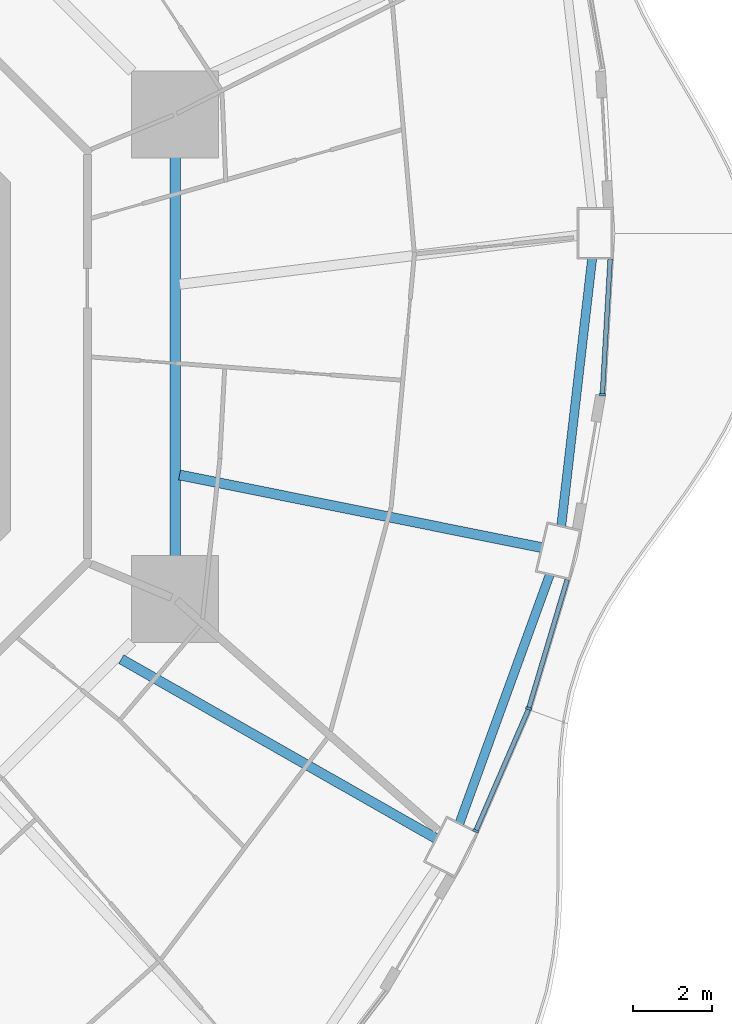
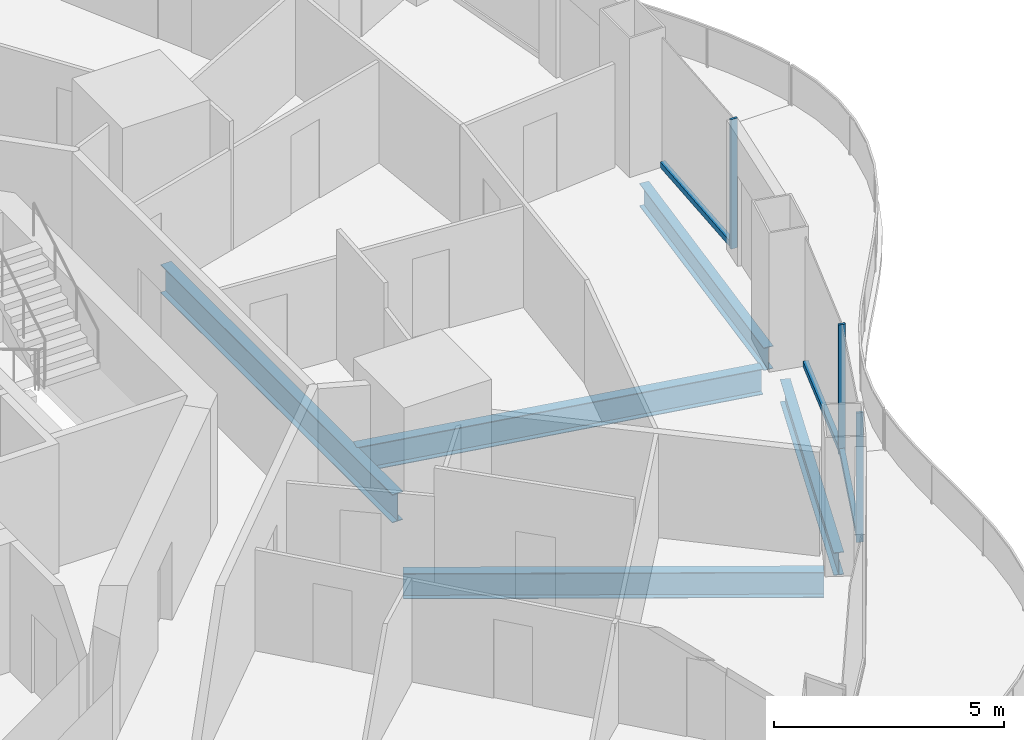
# One storey, part 6 of 22: 6 members, 5 beams, 3 elements without a shape of their own.
"""IFC4 building model written with IfcOpenShell, lengths in metres."""

from ifc_helpers import new_model, si_unit, direction, frame, origin, origin_2d, place, context, subcontext, project, spatial, rectangle, i_section, extrude, material, layer, layer_set, material_profile, profile_set, type_object, element, aggregate, save


model = new_model("IFC4")

# Units and contexts
model_context = context("Model", 3, precision=1e-05, world=origin(), true_north=direction((0.0, 1.0)))
body_context = subcontext(model_context, "Body", "Model", "MODEL_VIEW")
ifc_project = project(units=[si_unit("LENGTHUNIT", "METRE"), si_unit("AREAUNIT", "SQUARE_METRE"), si_unit("VOLUMEUNIT", "CUBIC_METRE"), si_unit("PLANEANGLEUNIT", "RADIAN"), si_unit("MASSUNIT", "GRAM", prefix="KILO")], contexts=[model_context])

# Site, building, storey
site_placement = place(None, origin())
site = spatial("IfcSite", under=ifc_project, at=site_placement, CompositionType="ELEMENT")
building_placement = place(site_placement, origin())
building = spatial("IfcBuilding", under=site, at=building_placement, Name="Nagisa Residences", CompositionType="ELEMENT")
storey_placement = place(building_placement, frame((0.0, 0.0, 88.10009765625)))
storey = spatial("IfcBuildingStorey", under=building, at=storey_placement, Name="L21", CompositionType="ELEMENT", Elevation=88.10009765625)

# Curtain wall, member
ifc_material_1 = material(Name="Concrete-coloured aluminium curtain wall system", Category="concrete")
ifc_layer = layer(ifc_material_1, 0.159912109375)
ifc_layer_set = layer_set([ifc_layer], Name="CW1 CURTAIN WALL")
curtain_wall_type = type_object("IfcCurtainWallType", Name="CW1 CURTAIN WALL", PredefinedType="NOTDEFINED", material=ifc_layer_set)
curtain_wall_1_placement = place(storey_placement, origin())
curtain_wall_1 = element("IfcCurtainWall", 1, at=curtain_wall_1_placement, inside=storey, type_object=curtain_wall_type, Name="cw:CW1:L21:44", PredefinedType="NOTDEFINED")
ifc_material_2 = material(Name="Concrete-coloured aluminium", Category="concrete")
ifc_material_profile_1 = material_profile(ifc_material_2, rectangle(XDim=0.159912109375, YDim=0.06005859375, at=origin_2d()), Name="CW1 MULLION 160x60")
ifc_profile_set_1 = profile_set([ifc_material_profile_1], Name="Concrete-coloured aluminium")
member_type_1 = type_object("IfcMemberType", Name="CW1 MULLION 160x60", PredefinedType="MULLION", material=ifc_profile_set_1)
member_1_placement = place(storey_placement, frame((22.381591796875, -11.984130859375, 0.0), z_axis=(0.0, 0.0, 1.0), x_axis=(-0.917543276295, 0.397635934147, 0.0)))
member_1 = element("IfcMember", 2, at=member_1_placement, type_object=member_type_1, Name="CW1 mullion", PredefinedType="MULLION", context=body_context, shape_type="SweptSolid", body=[
    extrude(rectangle(XDim=0.159912109375, YDim=0.06005859375, at=origin_2d()), origin(), (0.0, 0.0, 1.0), 3.43994140625),
])

curtain_wall_2_placement = place(storey_placement, origin())
curtain_wall_2 = element("IfcCurtainWall", 3, at=curtain_wall_2_placement, inside=storey, type_object=curtain_wall_type, Name="cw:CW1:L21:45", PredefinedType="NOTDEFINED")
member_2_placement = place(storey_placement, frame((23.71875, -8.890869140625, 0.0), z_axis=(0.0, 0.0, 1.0), x_axis=(-0.958271310082, 0.285860274038, 0.0)))
member_2 = element("IfcMember", 4, at=member_2_placement, type_object=member_type_1, Name="CW1 mullion", PredefinedType="MULLION", context=body_context, shape_type="SweptSolid", body=[
    extrude(rectangle(XDim=0.159912109375, YDim=0.06005859375, at=origin_2d()), origin(), (0.0, 0.0, 1.0), 3.43994140625),
])

curtain_wall_3_placement = place(storey_placement, origin())
curtain_wall_3 = element("IfcCurtainWall", 5, at=curtain_wall_3_placement, inside=storey, type_object=curtain_wall_type, Name="cw:CW1:L21:47", PredefinedType="NOTDEFINED")
member_3_placement = place(storey_placement, frame((25.579833984375, -0.961181640625, 0.0), z_axis=(0.0, 0.0, 1.0), x_axis=(-0.998345305184, 0.057503492216, 0.0)))
member_3 = element("IfcMember", 6, at=member_3_placement, type_object=member_type_1, Name="CW1 mullion", PredefinedType="MULLION", context=body_context, shape_type="SweptSolid", body=[
    extrude(rectangle(XDim=0.159912109375, YDim=0.06005859375, at=origin_2d()), origin(), (0.0, 0.0, 1.0), 3.43994140625),
])

# Member
ifc_material_3 = material(Name="Concrete-coloured aluminium", Category="concrete")
ifc_material_profile_2 = material_profile(ifc_material_3, rectangle(XDim=0.1201171875, YDim=0.14990234375, at=origin_2d()), Name="CW1 TRANSOM 120x150")
ifc_profile_set_2 = profile_set([ifc_material_profile_2], Name="Concrete-coloured aluminium")
member_type_2 = type_object("IfcMemberType", Name="CW1 TRANSOM 120x150", PredefinedType="USERDEFINED", material=ifc_profile_set_2)
member_4_placement = place(storey_placement, frame((22.36962890625, -12.011474609375, 0.074951171875), z_axis=(0.397621629246, 0.917549475481, 0.0), x_axis=(-0.917549475481, 0.397621629246, 0.0)))
member_4 = element("IfcMember", 7, at=member_4_placement, type_object=member_type_2, Name="CW1 transom", ObjectType="TRANSOM", PredefinedType="USERDEFINED", context=body_context, shape_type="SweptSolid", body=[
    extrude(rectangle(XDim=0.1201171875, YDim=0.14990234375, at=origin_2d()), origin(), (0.0, 0.0, 1.0), 3.37939453125),
])

aggregate(curtain_wall_1, [member_1, member_4])

member_5_placement = place(storey_placement, frame((23.710205078125, -8.919677734375, 0.074951171875), z_axis=(0.285882094477, 0.958264800594, 0.0), x_axis=(-0.958264800594, 0.285882094477, 0.0)))
member_5 = element("IfcMember", 8, at=member_5_placement, type_object=member_type_2, Name="CW1 transom", ObjectType="TRANSOM", PredefinedType="USERDEFINED", context=body_context, shape_type="SweptSolid", body=[
    extrude(rectangle(XDim=0.1201171875, YDim=0.14990234375, at=origin_2d()), origin(), (0.0, 0.0, 1.0), 3.423583984375),
])

aggregate(curtain_wall_2, [member_2, member_5])

member_6_placement = place(storey_placement, frame((25.578125, -0.9912109375, 0.074951171875), z_axis=(0.057546644052, 0.998342818754, 0.0), x_axis=(-0.998342818754, 0.057546644052, 0.0)))
member_6 = element("IfcMember", 9, at=member_6_placement, type_object=member_type_2, Name="CW1 transom", ObjectType="TRANSOM", PredefinedType="USERDEFINED", context=body_context, shape_type="SweptSolid", body=[
    extrude(rectangle(XDim=0.1201171875, YDim=0.14990234375, at=origin_2d()), origin(), (0.0, 0.0, 1.0), 3.470458984375),
])

aggregate(curtain_wall_3, [member_3, member_6])

# Beams
ifc_material_4 = material(Name="Steel ASTM A572 Gr 50", Category="steel")
ifc_material_profile_3 = material_profile(ifc_material_4, i_section(OverallWidth=0.264892578125, OverallDepth=0.7529296875, WebThickness=0.01318359375, FlangeThickness=0.01708984375, at=origin_2d()), Name="W760x147")
ifc_profile_set_3 = profile_set([ifc_material_profile_3], Name="Steel ASTM A572 Gr 50")
beam_type_1 = type_object("IfcBeamType", Name="Inner ring beam W760x147", PredefinedType="BEAM", material=ifc_profile_set_3)
beam_1_placement = place(storey_placement, frame((14.781982421875, -5.04296875, -0.63671875), z_axis=(0.0, 1.0, 0.0), x_axis=(-1.0, 0.0, 0.0)))
element("IfcBeam", 10, at=beam_1_placement, inside=storey, type_object=beam_type_1, Name="beam:L21:ib8", PredefinedType="BEAM", context=body_context, shape_type="SweptSolid", body=[
    extrude(i_section(OverallWidth=0.264892578125, OverallDepth=0.7529296875, WebThickness=0.01318359375, FlangeThickness=0.01708984375, at=origin_2d()), origin(), (0.0, 0.0, 1.0), 10.0859375),
])
ifc_material_5 = material(Name="Steel ASTM A572 Gr 50", Category="steel")
ifc_material_profile_4 = material_profile(ifc_material_5, i_section(OverallWidth=0.22802734375, OverallDepth=0.60302734375, WebThickness=0.010498046875, FlangeThickness=0.014892578125, at=origin_2d()), Name="W610x101")
ifc_profile_set_4 = profile_set([ifc_material_profile_4], Name="Steel ASTM A572 Gr 50")
beam_type_2 = type_object("IfcBeamType", Name="Perimeter ring beam W610x101", PredefinedType="BEAM", material=ifc_profile_set_4)
beam_2_placement = place(storey_placement, frame((21.96826171875, -11.793212890625, -0.5615234375), z_axis=(0.341365002286, 0.939930814057, 0.0), x_axis=(-0.939930814057, 0.341365002286, 0.0)))
element("IfcBeam", 11, at=beam_2_placement, inside=storey, type_object=beam_type_2, Name="beam:L21:pb23", PredefinedType="BEAM", context=body_context, shape_type="SweptSolid", body=[
    extrude(i_section(OverallWidth=0.22802734375, OverallDepth=0.60302734375, WebThickness=0.010498046875, FlangeThickness=0.014892578125, at=origin_2d()), origin(), (0.0, 0.0, 1.0), 6.689208984375),
])
beam_3_placement = place(storey_placement, frame((24.541015625, -4.279296875, -0.5615234375), z_axis=(0.114690766503, 0.993401242237, 0.0), x_axis=(-0.993401242237, 0.114690766503, 0.0)))
element("IfcBeam", 12, at=beam_3_placement, inside=storey, type_object=beam_type_2, Name="beam:L21:pb24", PredefinedType="BEAM", context=body_context, shape_type="SweptSolid", body=[
    extrude(i_section(OverallWidth=0.22802734375, OverallDepth=0.60302734375, WebThickness=0.010498046875, FlangeThickness=0.014892578125, at=origin_2d()), origin(), (0.0, 0.0, 1.0), 6.811767578125),
])
ifc_material_6 = material(Name="Steel ASTM A572 Gr 50", Category="steel")
ifc_material_profile_5 = material_profile(ifc_material_6, i_section(OverallWidth=0.2529296875, OverallDepth=0.677978515625, WebThickness=0.01171875, FlangeThickness=0.016357421875, at=origin_2d()), Name="W690x125")
ifc_profile_set_5 = profile_set([ifc_material_profile_5], Name="Steel ASTM A572 Gr 50")
beam_type_3 = type_object("IfcBeamType", Name="Radial beam W690x125", PredefinedType="BEAM", material=ifc_profile_set_5)
beam_4_placement = place(storey_placement, frame((21.37744140625, -12.1767578125, -0.59912109375), z_axis=(-0.868924854865, 0.494944033804, 0.0), x_axis=(-0.494944033804, -0.868924854865, 0.0)))
element("IfcBeam", 13, at=beam_4_placement, inside=storey, type_object=beam_type_3, Name="beam:L21:rb23", PredefinedType="BEAM", context=body_context, shape_type="SweptSolid", body=[
    extrude(i_section(OverallWidth=0.2529296875, OverallDepth=0.677978515625, WebThickness=0.01171875, FlangeThickness=0.016357421875, at=origin_2d()), origin(), (0.0, 0.0, 1.0), 9.156982421875),
])
beam_5_placement = place(storey_placement, frame((24.046630859375, -4.824951171875, -0.59912109375), z_axis=(-0.980459769656, 0.196719699282, 0.0), x_axis=(-0.196719699282, -0.980459769656, 0.0)))
element("IfcBeam", 14, at=beam_5_placement, inside=storey, type_object=beam_type_3, Name="beam:L21:rb24", PredefinedType="BEAM", context=body_context, shape_type="SweptSolid", body=[
    extrude(i_section(OverallWidth=0.2529296875, OverallDepth=0.677978515625, WebThickness=0.01171875, FlangeThickness=0.016357421875, at=origin_2d()), origin(), (0.0, 0.0, 1.0), 9.333984375),
])

save(model, "model.ifc")
